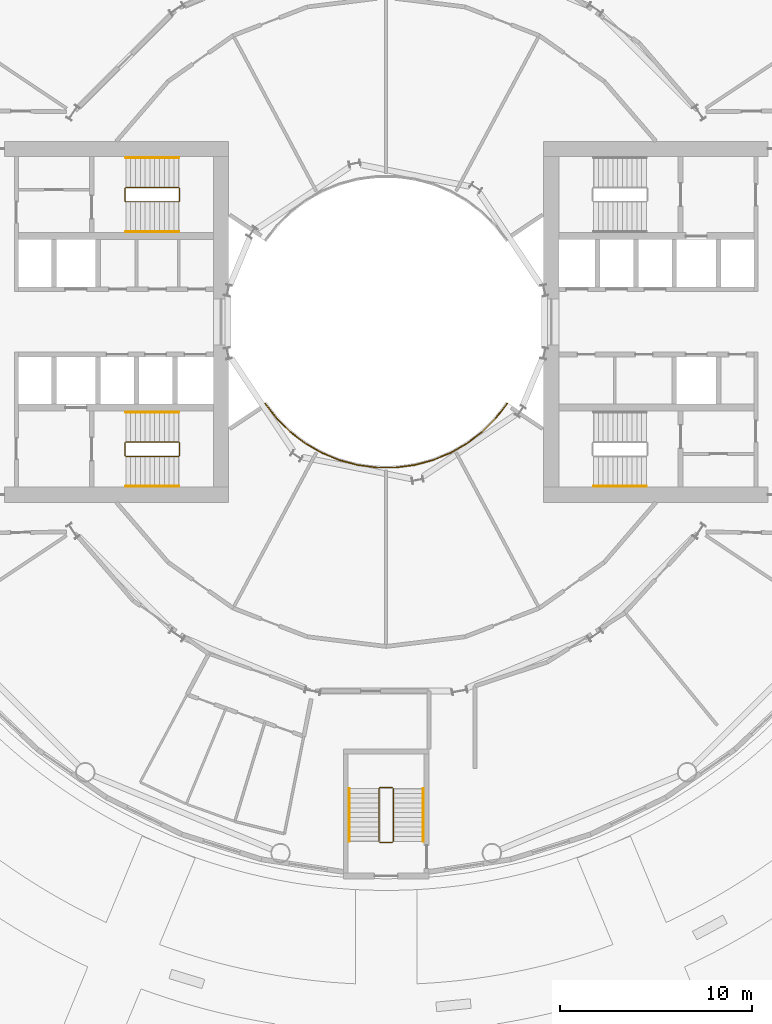
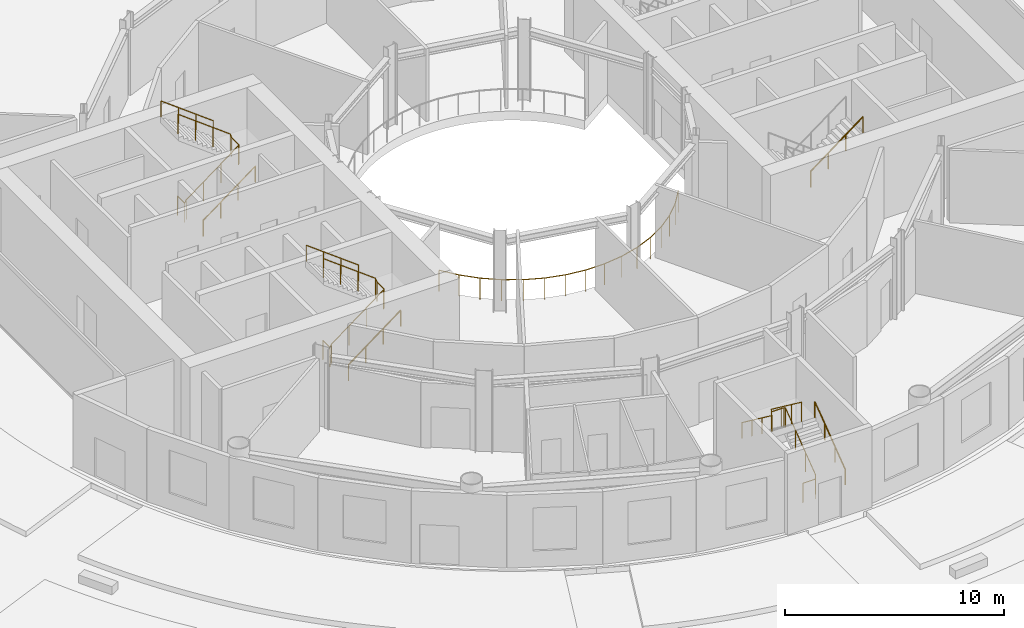
# One storey, part 18 of 19: 11 railings.
"""IFC4 building model written with IfcOpenShell, lengths in metres."""

import ifcopenshell
import ifcopenshell.guid

model = None  # the IFC model being written
_history = None  # IfcOwnerHistory: only IFC2X3 demands one
_inside = {}  # id of a spatial element -> (the spatial element, [elements in it])
_under = {}  # id of a project, library or spatial element -> (it, [spatial elements below it])
_declared = {}  # id of a project -> (the project, [libraries it declares])
_typed = {}  # id of a type object -> (the type object, [elements of that type])
_made_of = {}  # id of a material, layer set ... -> (it, [elements and type objects made of it])


def new_model(schema):
    """Start an empty IFC model of exactly this schema.

    Asked for "IFC4X3", IfcOpenShell would pick the latest addendum, in which some entities
    have other attributes; the version numbers below select the first issue.
    IFC2X3 requires an IfcOwnerHistory on every rooted entity: one is made here for all.
    """
    global model, _history
    if schema == "IFC4X3":
        model = ifcopenshell.file(schema_version=(4, 3, 0, 0))
    else:
        model = ifcopenshell.file(schema=schema)
    _inside.clear()
    _under.clear()
    _declared.clear()
    _typed.clear()
    _made_of.clear()
    _history = None
    if model.schema == "IFC2X3":
        org = make("IfcOrganization", Name="unknown")
        user = make(
            "IfcPersonAndOrganization",
            ThePerson=make("IfcPerson", FamilyName="unknown"),
            TheOrganization=org,
        )
        app = make(
            "IfcApplication",
            ApplicationDeveloper=org,
            Version="unknown",
            ApplicationFullName="unknown",
            ApplicationIdentifier="unknown",
        )
        _history = make(
            "IfcOwnerHistory",
            OwningUser=user,
            OwningApplication=app,
            ChangeAction="ADDED",
            CreationDate=0,
        )
    return model


def make(cls, **values):
    """One entity of the class cls with the attributes given. An attribute that is None is left unset."""
    return model.create_entity(
        cls, **{name: value for name, value in values.items() if value is not None}
    )


def rooted(cls, **values):
    """An entity with a GlobalId (a new one), such as an element, a storey or a relation."""
    return make(cls, GlobalId=ifcopenshell.guid.new(), OwnerHistory=_history, **values)


def si_unit(unit_type, name, prefix=None):
    """IfcSIUnit, for example si_unit("LENGTHUNIT", "METRE", prefix="MILLI")."""
    return make("IfcSIUnit", UnitType=unit_type, Prefix=prefix, Name=name)


def assignment(units):
    """IfcUnitAssignment: the units of a project."""
    return None if units is None else make("IfcUnitAssignment", Units=units)


def point(xyz):
    """IfcCartesianPoint."""
    return None if xyz is None else make("IfcCartesianPoint", Coordinates=xyz)


def direction(xyz):
    """IfcDirection."""
    return None if xyz is None else make("IfcDirection", DirectionRatios=xyz)


def frame(location, z_axis=None, x_axis=None):
    """IfcAxis2Placement3D, a coordinate frame: its origin and axes. An axis left out is left unset."""
    return make(
        "IfcAxis2Placement3D",
        Location=point(location),
        Axis=direction(z_axis),
        RefDirection=direction(x_axis),
    )


def frame_2d(location, x_axis=None):
    """IfcAxis2Placement2D, a coordinate frame in the plane: its origin and x axis."""
    return make(
        "IfcAxis2Placement2D", Location=point(location), RefDirection=direction(x_axis)
    )


def origin():
    """The frame at (0, 0, 0) with its axes left unset."""
    return frame((0.0, 0.0, 0.0))


def origin_2d():
    """The frame at (0, 0) in the plane with its x axis left unset."""
    return frame_2d((0.0, 0.0))


def place(relative_to, where):
    """IfcLocalPlacement: puts the frame where relative to a parent placement (None: the world)."""
    return make(
        "IfcLocalPlacement", PlacementRelTo=relative_to, RelativePlacement=where
    )


def context(
    kind, dimensions, precision=None, world=None, true_north=None, identifier=None
):
    """IfcGeometricRepresentationContext, for example the 3D "Model" context."""
    return make(
        "IfcGeometricRepresentationContext",
        ContextIdentifier=identifier,
        ContextType=kind,
        CoordinateSpaceDimension=dimensions,
        Precision=precision,
        WorldCoordinateSystem=world,
        TrueNorth=true_north,
    )


def subcontext(parent, identifier, kind, view, scale=None):
    """IfcGeometricRepresentationSubContext, for example "Body" below "Model"."""
    return make(
        "IfcGeometricRepresentationSubContext",
        ContextIdentifier=identifier,
        ContextType=kind,
        ParentContext=parent,
        TargetScale=scale,
        TargetView=view,
    )


def project(units=None, contexts=None):
    """IfcProject with its units and contexts."""
    return rooted(
        "IfcProject",
        Name="project",
        RepresentationContexts=contexts,
        UnitsInContext=assignment(units),
    )


def spatial(cls, under=None, at=None, **own):
    """A site, building, storey or space (cls), placed at a placement, below another one or the project."""
    s = rooted(cls, ObjectPlacement=at, **own)
    if under is not None:
        _under.setdefault(under.id(), (under, []))[1].append(s)
    return s


def profile(cls, at=None, kind="AREA", **sizes):
    """A parametric profile (cls). Its sizes go by their IFC names, for example OverallWidth=200.0."""
    return make(cls, ProfileType=kind, Position=at, **sizes)


def circle(**sizes):
    """IfcCircleProfileDef."""
    return profile("IfcCircleProfileDef", **sizes)


def extrude(swept, where, along, depth):
    """IfcExtrudedAreaSolid: the profile swept, set in the frame where, extruded along a direction by depth."""
    return make(
        "IfcExtrudedAreaSolid",
        SweptArea=swept,
        Position=where,
        ExtrudedDirection=direction(along),
        Depth=depth,
    )


def shape(context_of_items, identifier, shape_type, items):
    """IfcShapeRepresentation: the items that make up one representation, for example the "Body"."""
    return make(
        "IfcShapeRepresentation",
        ContextOfItems=context_of_items,
        RepresentationIdentifier=identifier,
        RepresentationType=shape_type,
        Items=items,
    )


def material(Name=None, Category=None):
    """IfcMaterial."""
    return make("IfcMaterial", Name=Name, Category=Category)


def made_of(thing, what):
    """Note that an element or type object is made of a material, layer set ...; save() writes the relation."""
    if what is not None:
        _made_of.setdefault(what.id(), (what, []))[1].append(thing)
    return thing


def type_object(cls, material=None, **own):
    """A type object (cls), such as IfcWallType, which elements share."""
    return made_of(rooted(cls, **own), material)


def element(
    cls,
    number,
    at=None,
    inside=None,
    cuts=None,
    type_object=None,
    material=None,
    context=None,
    identifier="Body",
    shape_type=None,
    held_by="IfcProductDefinitionShape",
    body=None,
    shapes=None,
    **own,
):
    """One element of the class cls, such as IfcWall. Its Tag is "e" and its number.

    at: its placement. inside: the storey or other place that contains it. cuts: it is an
    opening in that element (IfcRelVoidsElement). A single representation is given by context,
    identifier, shape_type and body (its items); several are given by shapes. held_by: the class
    of the entity that holds the representations. save() writes the other relations.
    """
    e = rooted(cls, Tag="e%d" % number, ObjectPlacement=at, **own)
    if body is not None:
        shapes = [shape(context, identifier, shape_type, body)]
    if shapes is not None:
        e.Representation = make(held_by, Representations=shapes)
    if inside is not None:
        _inside.setdefault(inside.id(), (inside, []))[1].append(e)
    if cuts is not None:
        rooted(
            "IfcRelVoidsElement", RelatingBuildingElement=cuts, RelatedOpeningElement=e
        )
    if type_object is not None:
        _typed.setdefault(type_object.id(), (type_object, []))[1].append(e)
    return made_of(e, material)


def aggregate(whole, parts):
    """IfcRelAggregates: a whole, such as a stair, and the parts it consists of."""
    return rooted("IfcRelAggregates", RelatingObject=whole, RelatedObjects=parts)


def save(model, path):
    """Write the relations noted so far, then the file.

    IfcRelAggregates (storeys below a building ...), IfcRelContainedInSpatialStructure (elements
    in a storey), IfcRelDefinesByType, IfcRelAssociatesMaterial and IfcRelDeclares: one each for
    every whole, place, type object, material and project.
    """
    for whole, parts in _under.values():
        aggregate(whole, parts)
    for where, things in _inside.values():
        rooted(
            "IfcRelContainedInSpatialStructure",
            RelatedElements=things,
            RelatingStructure=where,
        )
    for kind, things in _typed.values():
        rooted("IfcRelDefinesByType", RelatedObjects=things, RelatingType=kind)
    for what, things in _made_of.values():
        rooted("IfcRelAssociatesMaterial", RelatedObjects=things, RelatingMaterial=what)
    for by, libraries in _declared.values():
        rooted("IfcRelDeclares", RelatingContext=by, RelatedDefinitions=libraries)
    model.write(path)


model = new_model("IFC4")

# Units and contexts
model_context = context("Model", 3, precision=1e-05, world=origin(), true_north=direction((0.0, 1.0)))
body_context = subcontext(model_context, "Body", "Model", "MODEL_VIEW")
ifc_project = project(units=[si_unit("LENGTHUNIT", "METRE"), si_unit("AREAUNIT", "SQUARE_METRE"), si_unit("VOLUMEUNIT", "CUBIC_METRE"), si_unit("PLANEANGLEUNIT", "RADIAN"), si_unit("MASSUNIT", "GRAM", prefix="KILO")], contexts=[model_context])

# Site, building, storey
site_placement = place(None, origin())
site = spatial("IfcSite", under=ifc_project, at=site_placement, CompositionType="ELEMENT")
building_placement = place(site_placement, origin())
building = spatial("IfcBuilding", under=site, at=building_placement, Name="Maasbend Ring Residences", CompositionType="ELEMENT")
storey_placement = place(building_placement, frame((0.0, 0.0, 9.60009765625)))
storey = spatial("IfcBuildingStorey", under=building, at=storey_placement, Name="L02", CompositionType="ELEMENT", Elevation=9.60009765625)

# Railings
ifc_material_1 = material(Name="Stainless steel 316 and glass", Category="steel")
railing_type_1 = type_object("IfcRailingType", Name="RL-GUARD", PredefinedType="GUARDRAIL", material=ifc_material_1)
railing_1_placement = place(storey_placement, frame((-6.296875, -4.25537109375, 0.0)))
element("IfcRailing", 1, at=railing_1_placement, inside=storey, type_object=railing_type_1, Name="Well guard 2", PredefinedType="GUARDRAIL", context=body_context, shape_type="SweptSolid", body=[
    extrude(circle(Radius=0.02490234375, at=origin_2d()), frame((0.0, 0.0, 1.1748046875), z_axis=(0.61260637429, -0.790388151593, 0.0), x_axis=(0.790388151593, 0.61260637429, 0.0)), (0.0, 0.0, 1.0), 0.98876953125),
    extrude(circle(Radius=0.02490234375, at=origin_2d()), frame((0.605712890625, -0.781494140625, 1.1748046875), z_axis=(0.710063286319, -0.704137862511, 0.0), x_axis=(0.704137862511, 0.710063286319, 0.0)), (0.0, 0.0, 1.0), 0.98876953125),
    extrude(circle(Radius=0.02490234375, at=origin_2d()), frame((1.307861328125, -1.477783203125, 1.1748046875), z_axis=(0.795414718638, -0.606065528944, 0.0), x_axis=(0.606065528944, 0.795414718638, 0.0)), (0.0, 0.0, 1.0), 0.989013671875),
    extrude(circle(Radius=0.02490234375, at=origin_2d()), frame((2.094482421875, -2.0771484375, 1.1748046875), z_axis=(0.867436652983, -0.497547638987, 0.0), x_axis=(0.497547638987, 0.867436652983, 0.0)), (0.0, 0.0, 1.0), 0.98876953125),
    extrude(circle(Radius=0.02490234375, at=origin_2d()), frame((2.9521484375, -2.569091796875, 1.1748046875), z_axis=(0.924683211941, -0.380737386599, 0.0), x_axis=(0.380737386599, 0.924683211941, 0.0)), (0.0, 0.0, 1.0), 0.98876953125),
    extrude(circle(Radius=0.02490234375, at=origin_2d()), frame((3.866455078125, -2.945556640625, 1.1748046875), z_axis=(0.966279997956, -0.257493622348, 0.0), x_axis=(0.257493622348, 0.966279997956, 0.0)), (0.0, 0.0, 1.0), 0.989013671875),
    extrude(circle(Radius=0.02490234375, at=origin_2d()), frame((4.822021484375, -3.2001953125, 1.1748046875), z_axis=(0.991531433773, -0.129866915878, 0.0), x_axis=(0.129866915878, 0.991531433773, 0.0)), (0.0, 0.0, 1.0), 0.98876953125),
    extrude(circle(Radius=0.02490234375, at=origin_2d()), frame((5.802490234375, -3.32861328125, 1.1748046875), z_axis=(1.0, 0.0, 0.0), x_axis=(0.0, 1.0, 0.0)), (0.0, 0.0, 1.0), 0.98876953125),
    extrude(circle(Radius=0.02490234375, at=origin_2d()), frame((6.791259765625, -3.32861328125, 1.1748046875), z_axis=(0.991531433773, 0.129866915878, 0.0), x_axis=(-0.129866915878, 0.991531433773, 0.0)), (0.0, 0.0, 1.0), 0.98876953125),
    extrude(circle(Radius=0.02490234375, at=origin_2d()), frame((7.771728515625, -3.2001953125, 1.1748046875), z_axis=(0.966279997956, 0.257493622348, 0.0), x_axis=(-0.257493622348, 0.966279997956, 0.0)), (0.0, 0.0, 1.0), 0.989013671875),
    extrude(circle(Radius=0.02490234375, at=origin_2d()), frame((8.727294921875, -2.945556640625, 1.1748046875), z_axis=(0.924683211941, 0.380737386599, 0.0), x_axis=(-0.380737386599, 0.924683211941, 0.0)), (0.0, 0.0, 1.0), 0.98876953125),
    extrude(circle(Radius=0.02490234375, at=origin_2d()), frame((9.6416015625, -2.569091796875, 1.1748046875), z_axis=(0.867436652983, 0.497547638987, 0.0), x_axis=(-0.497547638987, 0.867436652983, 0.0)), (0.0, 0.0, 1.0), 0.98876953125),
    extrude(circle(Radius=0.02490234375, at=origin_2d()), frame((10.499267578125, -2.0771484375, 1.1748046875), z_axis=(0.795414718638, 0.606065528944, 0.0), x_axis=(-0.606065528944, 0.795414718638, 0.0)), (0.0, 0.0, 1.0), 0.989013671875),
    extrude(circle(Radius=0.02490234375, at=origin_2d()), frame((11.285888671875, -1.477783203125, 1.1748046875), z_axis=(0.710063286319, 0.704137862511, 0.0), x_axis=(-0.704137862511, 0.710063286319, 0.0)), (0.0, 0.0, 1.0), 0.98876953125),
    extrude(circle(Radius=0.02490234375, at=origin_2d()), frame((11.988037109375, -0.781494140625, 1.1748046875), z_axis=(0.61260637429, 0.790388151593, 0.0), x_axis=(-0.790388151593, 0.61260637429, 0.0)), (0.0, 0.0, 1.0), 0.98876953125),
    extrude(circle(Radius=0.02001953125, at=origin_2d()), origin(), (0.0, 0.0, 1.0), 1.14990234375),
    extrude(circle(Radius=0.02001953125, at=origin_2d()), frame((0.605712890625, -0.781494140625, 0.0)), (0.0, 0.0, 1.0), 1.14990234375),
    extrude(circle(Radius=0.02001953125, at=origin_2d()), frame((1.307861328125, -1.477783203125, 0.0)), (0.0, 0.0, 1.0), 1.14990234375),
    extrude(circle(Radius=0.02001953125, at=origin_2d()), frame((2.094482421875, -2.0771484375, 0.0)), (0.0, 0.0, 1.0), 1.14990234375),
    extrude(circle(Radius=0.02001953125, at=origin_2d()), frame((2.9521484375, -2.569091796875, 0.0)), (0.0, 0.0, 1.0), 1.14990234375),
    extrude(circle(Radius=0.02001953125, at=origin_2d()), frame((3.866455078125, -2.945556640625, 0.0)), (0.0, 0.0, 1.0), 1.14990234375),
    extrude(circle(Radius=0.02001953125, at=origin_2d()), frame((4.822021484375, -3.2001953125, 0.0)), (0.0, 0.0, 1.0), 1.14990234375),
    extrude(circle(Radius=0.02001953125, at=origin_2d()), frame((5.802490234375, -3.32861328125, 0.0)), (0.0, 0.0, 1.0), 1.14990234375),
    extrude(circle(Radius=0.02001953125, at=origin_2d()), frame((6.791259765625, -3.32861328125, 0.0)), (0.0, 0.0, 1.0), 1.14990234375),
    extrude(circle(Radius=0.02001953125, at=origin_2d()), frame((7.771728515625, -3.2001953125, 0.0)), (0.0, 0.0, 1.0), 1.14990234375),
    extrude(circle(Radius=0.02001953125, at=origin_2d()), frame((8.727294921875, -2.945556640625, 0.0)), (0.0, 0.0, 1.0), 1.14990234375),
    extrude(circle(Radius=0.02001953125, at=origin_2d()), frame((9.6416015625, -2.569091796875, 0.0)), (0.0, 0.0, 1.0), 1.14990234375),
    extrude(circle(Radius=0.02001953125, at=origin_2d()), frame((10.499267578125, -2.0771484375, 0.0)), (0.0, 0.0, 1.0), 1.14990234375),
    extrude(circle(Radius=0.02001953125, at=origin_2d()), frame((11.285888671875, -1.477783203125, 0.0)), (0.0, 0.0, 1.0), 1.14990234375),
    extrude(circle(Radius=0.02001953125, at=origin_2d()), frame((11.988037109375, -0.781494140625, 0.0)), (0.0, 0.0, 1.0), 1.14990234375),
    extrude(circle(Radius=0.02001953125, at=origin_2d()), frame((12.59375, 0.0, 0.0)), (0.0, 0.0, 1.0), 1.14990234375),
])
ifc_material_2 = material(Name="Stainless steel 316", Category="steel")
railing_type_2 = type_object("IfcRailingType", Name="STAIR GUARD 1100", PredefinedType="GUARDRAIL", material=ifc_material_2)
railing_2_placement = place(storey_placement, frame((-13.60009765625, -6.300048828125, 0.0)))
element("IfcRailing", 2, at=railing_2_placement, inside=storey, type_object=railing_type_2, Name="L02 ST-W1 stair guard 1", PredefinedType="GUARDRAIL", context=body_context, shape_type="SweptSolid", body=[
    extrude(circle(Radius=0.02392578125, at=origin_2d()), frame((0.0, 0.0, 1.076171875), z_axis=(0.0, -1.0, 0.0), x_axis=(1.0, 0.0, 0.0)), (0.0, 0.0, 1.0), 0.64990234375),
    extrude(circle(Radius=0.02392578125, at=origin_2d()), frame((0.0, -0.64990234375, 1.076171875), z_axis=(0.249726431254, -0.249726431254, 0.935560483917), x_axis=(0.707106781187, 0.707106781187, 0.0)), (0.0, 0.0, 1.0), 0.200439453125),
    extrude(circle(Radius=0.02392578125, at=origin_2d()), frame((0.050048828125, -0.699951171875, 1.263671875), z_axis=(0.8, 0.0, 0.6), x_axis=(0.0, 1.0, 0.0)), (0.0, 0.0, 1.0), 3.4375),
    extrude(circle(Radius=0.02392578125, at=origin_2d()), frame((2.800048828125, -0.699951171875, 3.326171875), z_axis=(0.707106781187, 0.707106781187, 0.0), x_axis=(-0.707106781187, 0.707106781187, 0.0)), (0.0, 0.0, 1.0), 0.07080078125),
    extrude(circle(Radius=0.02392578125, at=origin_2d()), frame((2.85009765625, -0.64990234375, 3.326171875), z_axis=(0.0, 1.0, 0.0), x_axis=(-1.0, 0.0, 0.0)), (0.0, 0.0, 1.0), 0.64990234375),
    extrude(circle(Radius=0.02392578125, at=origin_2d()), frame((2.85009765625, 0.0, 3.326171875), z_axis=(-0.249726431254, 0.249726431254, 0.935560483917), x_axis=(-0.707106781187, -0.707106781187, 0.0)), (0.0, 0.0, 1.0), 0.200439453125),
    extrude(circle(Radius=0.02392578125, at=origin_2d()), frame((2.800048828125, 0.050048828125, 3.513671875), z_axis=(-0.8, 0.0, 0.6), x_axis=(0.0, -1.0, 0.0)), (0.0, 0.0, 1.0), 3.4375),
    extrude(circle(Radius=0.02099609375, at=origin_2d()), origin(), (0.0, 0.0, 1.0), 1.052001953125),
    extrude(circle(Radius=0.02099609375, at=origin_2d()), frame((0.0, -0.64990234375, 0.0)), (0.0, 0.0, 1.0), 1.052001953125),
    extrude(circle(Radius=0.02099609375, at=origin_2d()), frame((0.050048828125, -0.699951171875, 0.1875)), (0.0, 0.0, 1.0), 1.052001953125),
    extrude(circle(Radius=0.02099609375, at=origin_2d()), frame((0.966796875, -0.699951171875, 0.875)), (0.0, 0.0, 1.0), 1.052001953125),
    extrude(circle(Radius=0.02099609375, at=origin_2d()), frame((1.88330078125, -0.699951171875, 1.5625)), (0.0, 0.0, 1.0), 1.052001953125),
    extrude(circle(Radius=0.02099609375, at=origin_2d()), frame((2.800048828125, -0.699951171875, 2.25)), (0.0, 0.0, 1.0), 1.052001953125),
    extrude(circle(Radius=0.02099609375, at=origin_2d()), frame((2.85009765625, -0.64990234375, 2.25)), (0.0, 0.0, 1.0), 1.052001953125),
    extrude(circle(Radius=0.02099609375, at=origin_2d()), frame((2.85009765625, 0.0, 2.25)), (0.0, 0.0, 1.0), 1.052001953125),
    extrude(circle(Radius=0.02099609375, at=origin_2d()), frame((2.800048828125, 0.050048828125, 2.4375)), (0.0, 0.0, 1.0), 1.052001953125),
    extrude(circle(Radius=0.02099609375, at=origin_2d()), frame((1.88330078125, 0.050048828125, 3.125)), (0.0, 0.0, 1.0), 1.052001953125),
    extrude(circle(Radius=0.02099609375, at=origin_2d()), frame((0.966796875, 0.050048828125, 3.8125)), (0.0, 0.0, 1.0), 1.052001953125),
    extrude(circle(Radius=0.02099609375, at=origin_2d()), frame((0.050048828125, 0.050048828125, 4.5)), (0.0, 0.0, 1.0), 1.052001953125),
])
railing_3_placement = place(storey_placement, frame((-13.60009765625, 6.949951171875, 0.0)))
element("IfcRailing", 3, at=railing_3_placement, inside=storey, type_object=railing_type_2, Name="L02 ST-W2 stair guard 1", PredefinedType="GUARDRAIL", context=body_context, shape_type="SweptSolid", body=[
    extrude(circle(Radius=0.02392578125, at=origin_2d()), frame((0.0, 0.0, 1.076171875), z_axis=(0.0, -1.0, 0.0), x_axis=(1.0, 0.0, 0.0)), (0.0, 0.0, 1.0), 0.64990234375),
    extrude(circle(Radius=0.02392578125, at=origin_2d()), frame((0.0, -0.64990234375, 1.076171875), z_axis=(0.249726431254, -0.249726431254, 0.935560483917), x_axis=(0.707106781187, 0.707106781187, 0.0)), (0.0, 0.0, 1.0), 0.200439453125),
    extrude(circle(Radius=0.02392578125, at=origin_2d()), frame((0.050048828125, -0.699951171875, 1.263671875), z_axis=(0.8, 0.0, 0.6), x_axis=(0.0, 1.0, 0.0)), (0.0, 0.0, 1.0), 3.4375),
    extrude(circle(Radius=0.02392578125, at=origin_2d()), frame((2.800048828125, -0.699951171875, 3.326171875), z_axis=(0.707106781187, 0.707106781187, 0.0), x_axis=(-0.707106781187, 0.707106781187, 0.0)), (0.0, 0.0, 1.0), 0.07080078125),
    extrude(circle(Radius=0.02392578125, at=origin_2d()), frame((2.85009765625, -0.64990234375, 3.326171875), z_axis=(0.0, 1.0, 0.0), x_axis=(-1.0, 0.0, 0.0)), (0.0, 0.0, 1.0), 0.64990234375),
    extrude(circle(Radius=0.02392578125, at=origin_2d()), frame((2.85009765625, 0.0, 3.326171875), z_axis=(-0.249726431254, 0.249726431254, 0.935560483917), x_axis=(-0.707106781187, -0.707106781187, 0.0)), (0.0, 0.0, 1.0), 0.200439453125),
    extrude(circle(Radius=0.02392578125, at=origin_2d()), frame((2.800048828125, 0.050048828125, 3.513671875), z_axis=(-0.8, 0.0, 0.6), x_axis=(0.0, -1.0, 0.0)), (0.0, 0.0, 1.0), 3.4375),
    extrude(circle(Radius=0.02099609375, at=origin_2d()), origin(), (0.0, 0.0, 1.0), 1.052001953125),
    extrude(circle(Radius=0.02099609375, at=origin_2d()), frame((0.0, -0.64990234375, 0.0)), (0.0, 0.0, 1.0), 1.052001953125),
    extrude(circle(Radius=0.02099609375, at=origin_2d()), frame((0.050048828125, -0.699951171875, 0.1875)), (0.0, 0.0, 1.0), 1.052001953125),
    extrude(circle(Radius=0.02099609375, at=origin_2d()), frame((0.966796875, -0.699951171875, 0.875)), (0.0, 0.0, 1.0), 1.052001953125),
    extrude(circle(Radius=0.02099609375, at=origin_2d()), frame((1.88330078125, -0.699951171875, 1.5625)), (0.0, 0.0, 1.0), 1.052001953125),
    extrude(circle(Radius=0.02099609375, at=origin_2d()), frame((2.800048828125, -0.699951171875, 2.25)), (0.0, 0.0, 1.0), 1.052001953125),
    extrude(circle(Radius=0.02099609375, at=origin_2d()), frame((2.85009765625, -0.64990234375, 2.25)), (0.0, 0.0, 1.0), 1.052001953125),
    extrude(circle(Radius=0.02099609375, at=origin_2d()), frame((2.85009765625, 0.0, 2.25)), (0.0, 0.0, 1.0), 1.052001953125),
    extrude(circle(Radius=0.02099609375, at=origin_2d()), frame((2.800048828125, 0.050048828125, 2.4375)), (0.0, 0.0, 1.0), 1.052001953125),
    extrude(circle(Radius=0.02099609375, at=origin_2d()), frame((1.88330078125, 0.050048828125, 3.125)), (0.0, 0.0, 1.0), 1.052001953125),
    extrude(circle(Radius=0.02099609375, at=origin_2d()), frame((0.966796875, 0.050048828125, 3.8125)), (0.0, 0.0, 1.0), 1.052001953125),
    extrude(circle(Radius=0.02099609375, at=origin_2d()), frame((0.050048828125, 0.050048828125, 4.5)), (0.0, 0.0, 1.0), 1.052001953125),
])
railing_4_placement = place(storey_placement, frame((-0.324951171875, -27.10009765625, 0.0)))
element("IfcRailing", 4, at=railing_4_placement, inside=storey, type_object=railing_type_2, Name="L02 ST-P3 stair guard 1", PredefinedType="GUARDRAIL", context=body_context, shape_type="SweptSolid", body=[
    extrude(circle(Radius=0.02392578125, at=origin_2d()), frame((0.0, 0.0, 1.076171875), z_axis=(1.0, 0.0, 0.0), x_axis=(0.0, 1.0, 0.0)), (0.0, 0.0, 1.0), 0.64990234375),
    extrude(circle(Radius=0.02392578125, at=origin_2d()), frame((0.64990234375, 0.0, 1.076171875), z_axis=(0.249726431254, 0.249726431254, 0.935560483917), x_axis=(-0.707106781187, 0.707106781187, 0.0)), (0.0, 0.0, 1.0), 0.200439453125),
    extrude(circle(Radius=0.02392578125, at=origin_2d()), frame((0.699951171875, 0.050048828125, 1.263671875), z_axis=(0.0, 0.8, 0.6), x_axis=(-1.0, 0.0, 0.0)), (0.0, 0.0, 1.0), 3.4375),
    extrude(circle(Radius=0.02392578125, at=origin_2d()), frame((0.699951171875, 2.800048828125, 3.326171875), z_axis=(-0.707106781187, 0.707106781187, 0.0), x_axis=(-0.707106781187, -0.707106781187, 0.0)), (0.0, 0.0, 1.0), 0.07080078125),
    extrude(circle(Radius=0.02392578125, at=origin_2d()), frame((0.64990234375, 2.85009765625, 3.326171875), z_axis=(-1.0, 0.0, 0.0), x_axis=(0.0, -1.0, 0.0)), (0.0, 0.0, 1.0), 0.64990234375),
    extrude(circle(Radius=0.02392578125, at=origin_2d()), frame((0.0, 2.85009765625, 3.326171875), z_axis=(-0.249726431254, -0.249726431254, 0.935560483917), x_axis=(0.707106781187, -0.707106781187, 0.0)), (0.0, 0.0, 1.0), 0.200439453125),
    extrude(circle(Radius=0.02392578125, at=origin_2d()), frame((-0.050048828125, 2.800048828125, 3.513671875), z_axis=(0.0, -0.8, 0.6), x_axis=(1.0, 0.0, 0.0)), (0.0, 0.0, 1.0), 3.4375),
    extrude(circle(Radius=0.02099609375, at=origin_2d()), origin(), (0.0, 0.0, 1.0), 1.052001953125),
    extrude(circle(Radius=0.02099609375, at=origin_2d()), frame((0.64990234375, 0.0, 0.0)), (0.0, 0.0, 1.0), 1.052001953125),
    extrude(circle(Radius=0.02099609375, at=origin_2d()), frame((0.699951171875, 0.050048828125, 0.1875)), (0.0, 0.0, 1.0), 1.052001953125),
    extrude(circle(Radius=0.02099609375, at=origin_2d()), frame((0.699951171875, 0.966796875, 0.875)), (0.0, 0.0, 1.0), 1.052001953125),
    extrude(circle(Radius=0.02099609375, at=origin_2d()), frame((0.699951171875, 1.88330078125, 1.5625)), (0.0, 0.0, 1.0), 1.052001953125),
    extrude(circle(Radius=0.02099609375, at=origin_2d()), frame((0.699951171875, 2.800048828125, 2.25)), (0.0, 0.0, 1.0), 1.052001953125),
    extrude(circle(Radius=0.02099609375, at=origin_2d()), frame((0.64990234375, 2.85009765625, 2.25)), (0.0, 0.0, 1.0), 1.052001953125),
    extrude(circle(Radius=0.02099609375, at=origin_2d()), frame((0.0, 2.85009765625, 2.25)), (0.0, 0.0, 1.0), 1.052001953125),
    extrude(circle(Radius=0.02099609375, at=origin_2d()), frame((-0.050048828125, 2.800048828125, 2.4375)), (0.0, 0.0, 1.0), 1.052001953125),
    extrude(circle(Radius=0.02099609375, at=origin_2d()), frame((-0.050048828125, 1.88330078125, 3.125)), (0.0, 0.0, 1.0), 1.052001953125),
    extrude(circle(Radius=0.02099609375, at=origin_2d()), frame((-0.050048828125, 0.966796875, 3.8125)), (0.0, 0.0, 1.0), 1.052001953125),
    extrude(circle(Radius=0.02099609375, at=origin_2d()), frame((-0.050048828125, 0.050048828125, 4.5)), (0.0, 0.0, 1.0), 1.052001953125),
])
ifc_material_3 = material(Name="Stainless steel 316", Category="steel")
railing_type_3 = type_object("IfcRailingType", Name="STAIR HANDRAIL 900", PredefinedType="HANDRAIL", material=ifc_material_3)
for number, where, name in (
    (5, (10.800048828125, -8.550048828125, 2.4375), "L02 ST-E2 stair handrail 2"),
    (6, (-13.550048828125, -8.550048828125, 0.1875), "L02 ST-W1 stair handrail 1"),
):
    element("IfcRailing", number, at=place(storey_placement, frame(where)), inside=storey, type_object=railing_type_3, Name=name, PredefinedType="HANDRAIL", context=body_context, shape_type="SweptSolid", body=[
        extrude(circle(Radius=0.02392578125, at=origin_2d()), frame((0.0, 0.0, 0.8759765625), z_axis=(0.8, 0.0, 0.6), x_axis=(0.0, 1.0, 0.0)), (0.0, 0.0, 1.0), 3.4375),
        extrude(circle(Radius=0.02099609375, at=origin_2d()), origin(), (0.0, 0.0, 1.0), 0.851806640625),
        extrude(circle(Radius=0.02099609375, at=origin_2d()), frame((0.916748046875, 0.0, 0.6875)), (0.0, 0.0, 1.0), 0.851806640625),
        extrude(circle(Radius=0.02099609375, at=origin_2d()), frame((1.833251953125, 0.0, 1.375)), (0.0, 0.0, 1.0), 0.851806640625),
        extrude(circle(Radius=0.02099609375, at=origin_2d()), frame((2.75, 0.0, 2.0625)), (0.0, 0.0, 1.0), 0.851806640625),
    ])
railing_5_placement = place(storey_placement, frame((-10.800048828125, -4.699951171875, 2.4375)))
element("IfcRailing", 7, at=railing_5_placement, inside=storey, type_object=railing_type_3, Name="L02 ST-W1 stair handrail 2", PredefinedType="HANDRAIL", context=body_context, shape_type="SweptSolid", body=[
    extrude(circle(Radius=0.02392578125, at=origin_2d()), frame((0.0, 0.0, 0.8759765625), z_axis=(-0.8, 0.0, 0.6), x_axis=(0.0, -1.0, 0.0)), (0.0, 0.0, 1.0), 3.4375),
    extrude(circle(Radius=0.02099609375, at=origin_2d()), origin(), (0.0, 0.0, 1.0), 0.851806640625),
    extrude(circle(Radius=0.02099609375, at=origin_2d()), frame((-0.916748046875, 0.0, 0.6875)), (0.0, 0.0, 1.0), 0.851806640625),
    extrude(circle(Radius=0.02099609375, at=origin_2d()), frame((-1.833251953125, 0.0, 1.375)), (0.0, 0.0, 1.0), 0.851806640625),
    extrude(circle(Radius=0.02099609375, at=origin_2d()), frame((-2.75, 0.0, 2.0625)), (0.0, 0.0, 1.0), 0.851806640625),
])
railing_6_placement = place(storey_placement, frame((-13.550048828125, 4.699951171875, 0.1875)))
element("IfcRailing", 8, at=railing_6_placement, inside=storey, type_object=railing_type_3, Name="L02 ST-W2 stair handrail 1", PredefinedType="HANDRAIL", context=body_context, shape_type="SweptSolid", body=[
    extrude(circle(Radius=0.02392578125, at=origin_2d()), frame((0.0, 0.0, 0.8759765625), z_axis=(0.8, 0.0, 0.6), x_axis=(0.0, 1.0, 0.0)), (0.0, 0.0, 1.0), 3.4375),
    extrude(circle(Radius=0.02099609375, at=origin_2d()), origin(), (0.0, 0.0, 1.0), 0.851806640625),
    extrude(circle(Radius=0.02099609375, at=origin_2d()), frame((0.916748046875, 0.0, 0.6875)), (0.0, 0.0, 1.0), 0.851806640625),
    extrude(circle(Radius=0.02099609375, at=origin_2d()), frame((1.833251953125, 0.0, 1.375)), (0.0, 0.0, 1.0), 0.851806640625),
    extrude(circle(Radius=0.02099609375, at=origin_2d()), frame((2.75, 0.0, 2.0625)), (0.0, 0.0, 1.0), 0.851806640625),
])
railing_7_placement = place(storey_placement, frame((-10.800048828125, 8.550048828125, 2.4375)))
element("IfcRailing", 9, at=railing_7_placement, inside=storey, type_object=railing_type_3, Name="L02 ST-W2 stair handrail 2", PredefinedType="HANDRAIL", context=body_context, shape_type="SweptSolid", body=[
    extrude(circle(Radius=0.02392578125, at=origin_2d()), frame((0.0, 0.0, 0.8759765625), z_axis=(-0.8, 0.0, 0.6), x_axis=(0.0, -1.0, 0.0)), (0.0, 0.0, 1.0), 3.4375),
    extrude(circle(Radius=0.02099609375, at=origin_2d()), origin(), (0.0, 0.0, 1.0), 0.851806640625),
    extrude(circle(Radius=0.02099609375, at=origin_2d()), frame((-0.916748046875, 0.0, 0.6875)), (0.0, 0.0, 1.0), 0.851806640625),
    extrude(circle(Radius=0.02099609375, at=origin_2d()), frame((-1.833251953125, 0.0, 1.375)), (0.0, 0.0, 1.0), 0.851806640625),
    extrude(circle(Radius=0.02099609375, at=origin_2d()), frame((-2.75, 0.0, 2.0625)), (0.0, 0.0, 1.0), 0.851806640625),
])
railing_8_placement = place(storey_placement, frame((1.925048828125, -27.050048828125, 0.1875)))
element("IfcRailing", 10, at=railing_8_placement, inside=storey, type_object=railing_type_3, Name="L02 ST-P3 stair handrail 1", PredefinedType="HANDRAIL", context=body_context, shape_type="SweptSolid", body=[
    extrude(circle(Radius=0.02392578125, at=origin_2d()), frame((0.0, 0.0, 0.8759765625), z_axis=(0.0, 0.8, 0.6), x_axis=(-1.0, 0.0, 0.0)), (0.0, 0.0, 1.0), 3.4375),
    extrude(circle(Radius=0.02099609375, at=origin_2d()), origin(), (0.0, 0.0, 1.0), 0.851806640625),
    extrude(circle(Radius=0.02099609375, at=origin_2d()), frame((0.0, 0.916748046875, 0.6875)), (0.0, 0.0, 1.0), 0.851806640625),
    extrude(circle(Radius=0.02099609375, at=origin_2d()), frame((0.0, 1.833251953125, 1.375)), (0.0, 0.0, 1.0), 0.851806640625),
    extrude(circle(Radius=0.02099609375, at=origin_2d()), frame((0.0, 2.75, 2.0625)), (0.0, 0.0, 1.0), 0.851806640625),
])
railing_9_placement = place(storey_placement, frame((-1.925048828125, -24.300048828125, 2.4375)))
element("IfcRailing", 11, at=railing_9_placement, inside=storey, type_object=railing_type_3, Name="L02 ST-P3 stair handrail 2", PredefinedType="HANDRAIL", context=body_context, shape_type="SweptSolid", body=[
    extrude(circle(Radius=0.02392578125, at=origin_2d()), frame((0.0, 0.0, 0.8759765625), z_axis=(0.0, -0.8, 0.6), x_axis=(1.0, 0.0, 0.0)), (0.0, 0.0, 1.0), 3.4375),
    extrude(circle(Radius=0.02099609375, at=origin_2d()), origin(), (0.0, 0.0, 1.0), 0.851806640625),
    extrude(circle(Radius=0.02099609375, at=origin_2d()), frame((0.0, -0.916748046875, 0.6875)), (0.0, 0.0, 1.0), 0.851806640625),
    extrude(circle(Radius=0.02099609375, at=origin_2d()), frame((0.0, -1.833251953125, 1.375)), (0.0, 0.0, 1.0), 0.851806640625),
    extrude(circle(Radius=0.02099609375, at=origin_2d()), frame((0.0, -2.75, 2.0625)), (0.0, 0.0, 1.0), 0.851806640625),
])

save(model, "model.ifc")
